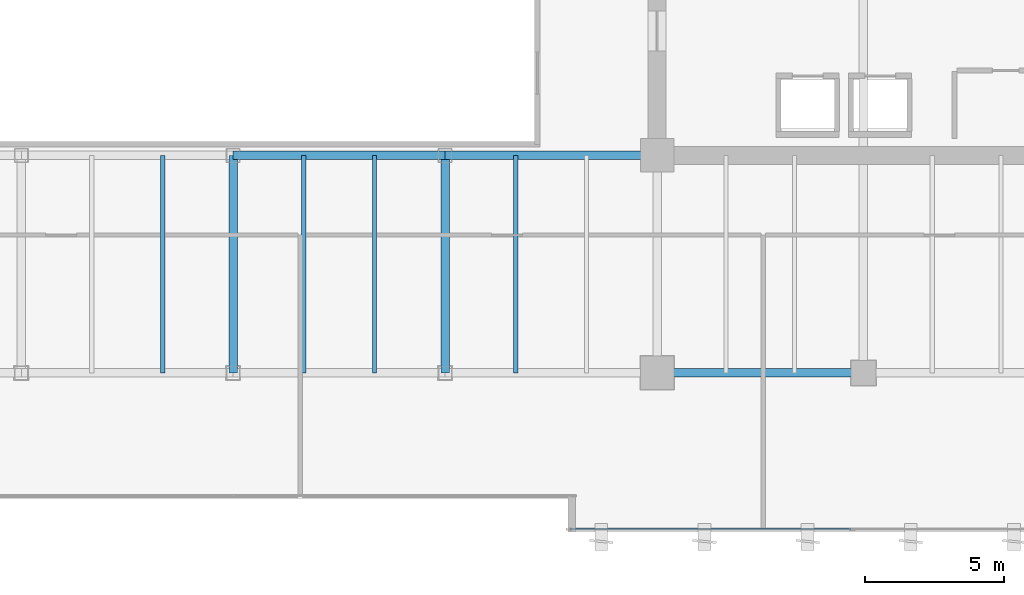
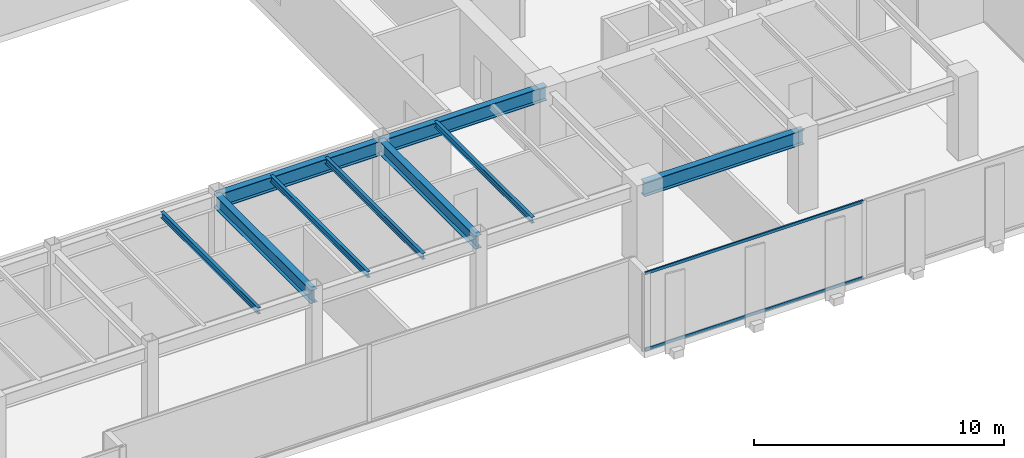
# One storey, part 11 of 34: 9 beams, 2 members, 1 element without a shape of its own.
"""IFC4 building model written with IfcOpenShell, lengths in metres."""

import ifcopenshell
import ifcopenshell.guid

model = None  # the IFC model being written
_history = None  # IfcOwnerHistory: only IFC2X3 demands one
_inside = {}  # id of a spatial element -> (the spatial element, [elements in it])
_under = {}  # id of a project, library or spatial element -> (it, [spatial elements below it])
_declared = {}  # id of a project -> (the project, [libraries it declares])
_typed = {}  # id of a type object -> (the type object, [elements of that type])
_made_of = {}  # id of a material, layer set ... -> (it, [elements and type objects made of it])


def new_model(schema):
    """Start an empty IFC model of exactly this schema.

    Asked for "IFC4X3", IfcOpenShell would pick the latest addendum, in which some entities
    have other attributes; the version numbers below select the first issue.
    IFC2X3 requires an IfcOwnerHistory on every rooted entity: one is made here for all.
    """
    global model, _history
    if schema == "IFC4X3":
        model = ifcopenshell.file(schema_version=(4, 3, 0, 0))
    else:
        model = ifcopenshell.file(schema=schema)
    _inside.clear()
    _under.clear()
    _declared.clear()
    _typed.clear()
    _made_of.clear()
    _history = None
    if model.schema == "IFC2X3":
        org = make("IfcOrganization", Name="unknown")
        user = make(
            "IfcPersonAndOrganization",
            ThePerson=make("IfcPerson", FamilyName="unknown"),
            TheOrganization=org,
        )
        app = make(
            "IfcApplication",
            ApplicationDeveloper=org,
            Version="unknown",
            ApplicationFullName="unknown",
            ApplicationIdentifier="unknown",
        )
        _history = make(
            "IfcOwnerHistory",
            OwningUser=user,
            OwningApplication=app,
            ChangeAction="ADDED",
            CreationDate=0,
        )
    return model


def make(cls, **values):
    """One entity of the class cls with the attributes given. An attribute that is None is left unset."""
    return model.create_entity(
        cls, **{name: value for name, value in values.items() if value is not None}
    )


def rooted(cls, **values):
    """An entity with a GlobalId (a new one), such as an element, a storey or a relation."""
    return make(cls, GlobalId=ifcopenshell.guid.new(), OwnerHistory=_history, **values)


def si_unit(unit_type, name, prefix=None):
    """IfcSIUnit, for example si_unit("LENGTHUNIT", "METRE", prefix="MILLI")."""
    return make("IfcSIUnit", UnitType=unit_type, Prefix=prefix, Name=name)


def assignment(units):
    """IfcUnitAssignment: the units of a project."""
    return None if units is None else make("IfcUnitAssignment", Units=units)


def point(xyz):
    """IfcCartesianPoint."""
    return None if xyz is None else make("IfcCartesianPoint", Coordinates=xyz)


def direction(xyz):
    """IfcDirection."""
    return None if xyz is None else make("IfcDirection", DirectionRatios=xyz)


def frame(location, z_axis=None, x_axis=None):
    """IfcAxis2Placement3D, a coordinate frame: its origin and axes. An axis left out is left unset."""
    return make(
        "IfcAxis2Placement3D",
        Location=point(location),
        Axis=direction(z_axis),
        RefDirection=direction(x_axis),
    )


def frame_2d(location, x_axis=None):
    """IfcAxis2Placement2D, a coordinate frame in the plane: its origin and x axis."""
    return make(
        "IfcAxis2Placement2D", Location=point(location), RefDirection=direction(x_axis)
    )


def origin():
    """The frame at (0, 0, 0) with its axes left unset."""
    return frame((0.0, 0.0, 0.0))


def origin_2d():
    """The frame at (0, 0) in the plane with its x axis left unset."""
    return frame_2d((0.0, 0.0))


def place(relative_to, where):
    """IfcLocalPlacement: puts the frame where relative to a parent placement (None: the world)."""
    return make(
        "IfcLocalPlacement", PlacementRelTo=relative_to, RelativePlacement=where
    )


def context(
    kind, dimensions, precision=None, world=None, true_north=None, identifier=None
):
    """IfcGeometricRepresentationContext, for example the 3D "Model" context."""
    return make(
        "IfcGeometricRepresentationContext",
        ContextIdentifier=identifier,
        ContextType=kind,
        CoordinateSpaceDimension=dimensions,
        Precision=precision,
        WorldCoordinateSystem=world,
        TrueNorth=true_north,
    )


def subcontext(parent, identifier, kind, view, scale=None):
    """IfcGeometricRepresentationSubContext, for example "Body" below "Model"."""
    return make(
        "IfcGeometricRepresentationSubContext",
        ContextIdentifier=identifier,
        ContextType=kind,
        ParentContext=parent,
        TargetScale=scale,
        TargetView=view,
    )


def project(units=None, contexts=None):
    """IfcProject with its units and contexts."""
    return rooted(
        "IfcProject",
        Name="project",
        RepresentationContexts=contexts,
        UnitsInContext=assignment(units),
    )


def spatial(cls, under=None, at=None, **own):
    """A site, building, storey or space (cls), placed at a placement, below another one or the project."""
    s = rooted(cls, ObjectPlacement=at, **own)
    if under is not None:
        _under.setdefault(under.id(), (under, []))[1].append(s)
    return s


def profile(cls, at=None, kind="AREA", **sizes):
    """A parametric profile (cls). Its sizes go by their IFC names, for example OverallWidth=200.0."""
    return make(cls, ProfileType=kind, Position=at, **sizes)


def hollow_rectangle(**sizes):
    """IfcRectangleHollowProfileDef."""
    return profile("IfcRectangleHollowProfileDef", **sizes)


def i_section(**sizes):
    """IfcIShapeProfileDef."""
    return profile("IfcIShapeProfileDef", **sizes)


def extrude(swept, where, along, depth):
    """IfcExtrudedAreaSolid: the profile swept, set in the frame where, extruded along a direction by depth."""
    return make(
        "IfcExtrudedAreaSolid",
        SweptArea=swept,
        Position=where,
        ExtrudedDirection=direction(along),
        Depth=depth,
    )


def shape(context_of_items, identifier, shape_type, items):
    """IfcShapeRepresentation: the items that make up one representation, for example the "Body"."""
    return make(
        "IfcShapeRepresentation",
        ContextOfItems=context_of_items,
        RepresentationIdentifier=identifier,
        RepresentationType=shape_type,
        Items=items,
    )


def source(mapping_origin, context_of_items, identifier, shape_type, items):
    """IfcRepresentationMap: a shape defined once, which mapped items show again and again."""
    return make(
        "IfcRepresentationMap",
        MappingOrigin=mapping_origin,
        MappedRepresentation=shape(context_of_items, identifier, shape_type, items),
    )


def transform(
    local_origin,
    x_axis=None,
    y_axis=None,
    z_axis=None,
    scale=None,
    scale2=None,
    scale3=None,
    uniform=True,
):
    """IfcCartesianTransformationOperator3D, or its non-uniform kind. x_axis, y_axis, z_axis: its Axis1, 2, 3."""
    if uniform:
        return make(
            "IfcCartesianTransformationOperator3D",
            Axis1=direction(x_axis),
            Axis2=direction(y_axis),
            LocalOrigin=point(local_origin),
            Scale=scale,
            Axis3=direction(z_axis),
        )
    return make(
        "IfcCartesianTransformationOperator3DnonUniform",
        Axis1=direction(x_axis),
        Axis2=direction(y_axis),
        LocalOrigin=point(local_origin),
        Scale=scale,
        Axis3=direction(z_axis),
        Scale2=scale2,
        Scale3=scale3,
    )


def mapped(mapping_source, mapping_target):
    """IfcMappedItem: shows the shape of a source again, moved by a transform."""
    return make(
        "IfcMappedItem", MappingSource=mapping_source, MappingTarget=mapping_target
    )


def material(Name=None, Category=None):
    """IfcMaterial."""
    return make("IfcMaterial", Name=Name, Category=Category)


def layer(
    of_material, thickness, ventilated=None, Name=None, Category=None, Priority=None
):
    """IfcMaterialLayer: one layer of a wall or slab, of a material (None: an air gap)."""
    return make(
        "IfcMaterialLayer",
        Material=of_material,
        LayerThickness=thickness,
        IsVentilated=ventilated,
        Name=Name,
        Category=Category,
        Priority=Priority,
    )


def layer_set(layers, Name=None):
    """IfcMaterialLayerSet."""
    return make("IfcMaterialLayerSet", MaterialLayers=layers, LayerSetName=Name)


def material_profile(
    of_material, cross_section, Name=None, Category=None, Priority=None
):
    """IfcMaterialProfile: a cross section and its material."""
    return make(
        "IfcMaterialProfile",
        Name=Name,
        Material=of_material,
        Profile=cross_section,
        Priority=Priority,
        Category=Category,
    )


def profile_set(profiles, Name=None, composite=None):
    """IfcMaterialProfileSet."""
    return make(
        "IfcMaterialProfileSet",
        Name=Name,
        MaterialProfiles=profiles,
        CompositeProfile=composite,
    )


def made_of(thing, what):
    """Note that an element or type object is made of a material, layer set ...; save() writes the relation."""
    if what is not None:
        _made_of.setdefault(what.id(), (what, []))[1].append(thing)
    return thing


def type_object(cls, material=None, **own):
    """A type object (cls), such as IfcWallType, which elements share."""
    return made_of(rooted(cls, **own), material)


def type_shapes(of_type, sources):
    """Give a type object the sources (RepresentationMaps) that its elements show as mapped items."""
    of_type.RepresentationMaps = sources


def element(
    cls,
    number,
    at=None,
    inside=None,
    cuts=None,
    type_object=None,
    material=None,
    context=None,
    identifier="Body",
    shape_type=None,
    held_by="IfcProductDefinitionShape",
    body=None,
    shapes=None,
    **own,
):
    """One element of the class cls, such as IfcWall. Its Tag is "e" and its number.

    at: its placement. inside: the storey or other place that contains it. cuts: it is an
    opening in that element (IfcRelVoidsElement). A single representation is given by context,
    identifier, shape_type and body (its items); several are given by shapes. held_by: the class
    of the entity that holds the representations. save() writes the other relations.
    """
    e = rooted(cls, Tag="e%d" % number, ObjectPlacement=at, **own)
    if body is not None:
        shapes = [shape(context, identifier, shape_type, body)]
    if shapes is not None:
        e.Representation = make(held_by, Representations=shapes)
    if inside is not None:
        _inside.setdefault(inside.id(), (inside, []))[1].append(e)
    if cuts is not None:
        rooted(
            "IfcRelVoidsElement", RelatingBuildingElement=cuts, RelatedOpeningElement=e
        )
    if type_object is not None:
        _typed.setdefault(type_object.id(), (type_object, []))[1].append(e)
    return made_of(e, material)


def aggregate(whole, parts):
    """IfcRelAggregates: a whole, such as a stair, and the parts it consists of."""
    return rooted("IfcRelAggregates", RelatingObject=whole, RelatedObjects=parts)


def save(model, path):
    """Write the relations noted so far, then the file.

    IfcRelAggregates (storeys below a building ...), IfcRelContainedInSpatialStructure (elements
    in a storey), IfcRelDefinesByType, IfcRelAssociatesMaterial and IfcRelDeclares: one each for
    every whole, place, type object, material and project.
    """
    for whole, parts in _under.values():
        aggregate(whole, parts)
    for where, things in _inside.values():
        rooted(
            "IfcRelContainedInSpatialStructure",
            RelatedElements=things,
            RelatingStructure=where,
        )
    for kind, things in _typed.values():
        rooted("IfcRelDefinesByType", RelatedObjects=things, RelatingType=kind)
    for what, things in _made_of.values():
        rooted("IfcRelAssociatesMaterial", RelatedObjects=things, RelatingMaterial=what)
    for by, libraries in _declared.values():
        rooted("IfcRelDeclares", RelatingContext=by, RelatedDefinitions=libraries)
    model.write(path)


model = new_model("IFC4")

# Units and contexts
model_context = context("Model", 3, precision=1e-05, world=origin(), true_north=direction((0.0, 1.0)))
body_context = subcontext(model_context, "Body", "Model", "MODEL_VIEW")
ifc_project = project(units=[si_unit("LENGTHUNIT", "METRE"), si_unit("AREAUNIT", "SQUARE_METRE"), si_unit("VOLUMEUNIT", "CUBIC_METRE"), si_unit("PLANEANGLEUNIT", "RADIAN"), si_unit("MASSUNIT", "GRAM", prefix="KILO")], contexts=[model_context])

# Site, building, storey
site_placement = place(None, origin())
site = spatial("IfcSite", under=ifc_project, at=site_placement, CompositionType="ELEMENT")
building_placement = place(site_placement, origin())
building = spatial("IfcBuilding", under=site, at=building_placement, Name="Haelvirn Gate Laboratories", CompositionType="ELEMENT")
storey_placement = place(building_placement, frame((0.0, 0.0, 109.199951171875)))
storey = spatial("IfcBuildingStorey", under=building, at=storey_placement, Name="L26", CompositionType="ELEMENT", Elevation=109.199951171875)

# Beams
ifc_material_1 = material(Name="Steel SM355", Category="steel")
ifc_material_profile_1 = material_profile(ifc_material_1, i_section(OverallWidth=0.300048828125, OverallDepth=0.64990234375, WebThickness=0.012939453125, FlangeThickness=0.02197265625, at=origin_2d()), Name="H-650x300x13x22")
ifc_profile_set_1 = profile_set([ifc_material_profile_1], Name="Steel SM355")
beam_type_1 = type_object("IfcBeamType", Name="BM-G-650", PredefinedType="BEAM", material=ifc_profile_set_1)
shared_shape_1 = source(origin(), body_context, "Body", "SweptSolid", [
    extrude(i_section(OverallWidth=0.300048828125, OverallDepth=0.64990234375, WebThickness=0.012939453125, FlangeThickness=0.02197265625, at=origin_2d()), origin(), (0.0, 0.0, 1.0), 7.800048828125),
])
type_shapes(beam_type_1, [shared_shape_1])
for number, where, z_axis, x_axis, name in (
    (1, (37.39990234375, 7.0, 3.465087890625), (0.0, 1.0, 0.0), (-1.0, 0.0, 0.0), "L26 Frame Girder X37.4 (7.0-14.8)"),
    (2, (45.0, 7.0, 3.465087890625), (0.0, 1.0, 0.0), (-1.0, 0.0, 0.0), "L26 Frame Girder X45.0 (7.0-14.8)"),
):
    element("IfcBeam", number, at=place(storey_placement, frame(where, z_axis=z_axis, x_axis=x_axis)), inside=storey, type_object=beam_type_1, Name=name, PredefinedType="BEAM", context=body_context, shape_type="MappedRepresentation", body=[
        mapped(shared_shape_1, transform((0.0, 0.0, 0.0), scale=1.0)),
    ])
ifc_material_profile_2 = material_profile(ifc_material_1, i_section(OverallWidth=0.300048828125, OverallDepth=0.699951171875, WebThickness=0.012939453125, FlangeThickness=0.02392578125, at=origin_2d()), Name="H-700x300x13x24")
ifc_profile_set_2 = profile_set([ifc_material_profile_2], Name="Steel SM355")
beam_type_2 = type_object("IfcBeamType", Name="BM-G-700", PredefinedType="BEAM", material=ifc_profile_set_2)
shared_shape_2 = source(origin(), body_context, "Body", "SweptSolid", [
    extrude(i_section(OverallWidth=0.300048828125, OverallDepth=0.699951171875, WebThickness=0.012939453125, FlangeThickness=0.02392578125, at=origin_2d()), origin(), (0.0, 0.0, 1.0), 7.39990234375),
])
beam_placement = place(storey_placement, frame((52.60009765625, 7.0, 3.43994140625), z_axis=(1.0, 0.0, 0.0), x_axis=(0.0, 1.0, 0.0)))
element("IfcBeam", 3, at=beam_placement, inside=storey, type_object=beam_type_2, Name="L26 Primary Girder Y7.0 (52.6-60.0)", PredefinedType="BEAM", context=body_context, shape_type="MappedRepresentation", body=[
    mapped(shared_shape_2, transform((0.0, 0.0, 0.0), scale=1.0)),
])
shared_shape_3 = source(origin(), body_context, "Body", "SweptSolid", [
    extrude(i_section(OverallWidth=0.300048828125, OverallDepth=0.699951171875, WebThickness=0.012939453125, FlangeThickness=0.02392578125, at=origin_2d()), origin(), (0.0, 0.0, 1.0), 7.60009765625),
])
type_shapes(beam_type_2, [shared_shape_2, shared_shape_3])
for number, where, z_axis, x_axis, name in (
    (4, (37.39990234375, 14.800048828125, 3.43994140625), (1.0, 0.0, 0.0), (0.0, 1.0, 0.0), "L26 Primary Girder Y14.8 (37.4-45.0)"),
    (5, (45.0, 14.800048828125, 3.43994140625), (1.0, 0.0, 0.0), (0.0, 1.0, 0.0), "L26 Primary Girder Y14.8 (45.0-52.6)"),
):
    element("IfcBeam", number, at=place(storey_placement, frame(where, z_axis=z_axis, x_axis=x_axis)), inside=storey, type_object=beam_type_2, Name=name, PredefinedType="BEAM", context=body_context, shape_type="MappedRepresentation", body=[
        mapped(shared_shape_3, transform((0.0, 0.0, 0.0), scale=1.0)),
    ])
ifc_material_profile_3 = material_profile(ifc_material_1, i_section(OverallWidth=0.14990234375, OverallDepth=0.300048828125, WebThickness=0.006591796875, FlangeThickness=0.009033203125, at=origin_2d()), Name="H-300x150x6.5x9")
ifc_profile_set_3 = profile_set([ifc_material_profile_3], Name="Steel SM355")
beam_type_3 = type_object("IfcBeamType", Name="BM-J-300", PredefinedType="JOIST", material=ifc_profile_set_3)
shared_shape_4 = source(origin(), body_context, "Body", "SweptSolid", [
    extrude(i_section(OverallWidth=0.14990234375, OverallDepth=0.300048828125, WebThickness=0.006591796875, FlangeThickness=0.009033203125, at=origin_2d()), origin(), (0.0, 0.0, 1.0), 7.800048828125),
])
type_shapes(beam_type_3, [shared_shape_4])
for number, where, z_axis, x_axis, name in (
    (6, (34.8701171875, 7.0, 3.64013671875), (0.0, 1.0, 0.0), (-1.0, 0.0, 0.0), "L26 Composite Lab Joist South X34.87"),
    (7, (39.929931640625, 7.0, 3.64013671875), (0.0, 1.0, 0.0), (-1.0, 0.0, 0.0), "L26 Composite Lab Joist South X39.93"),
    (8, (42.469970703125, 7.0, 3.64013671875), (0.0, 1.0, 0.0), (-1.0, 0.0, 0.0), "L26 Composite Lab Joist South X42.47"),
    (9, (47.530029296875, 7.0, 3.64013671875), (0.0, 1.0, 0.0), (-1.0, 0.0, 0.0), "L26 Composite Lab Joist South X47.53"),
):
    element("IfcBeam", number, at=place(storey_placement, frame(where, z_axis=z_axis, x_axis=x_axis)), inside=storey, type_object=beam_type_3, Name=name, PredefinedType="JOIST", context=body_context, shape_type="MappedRepresentation", body=[
        mapped(shared_shape_4, transform((0.0, 0.0, 0.0), scale=1.0)),
    ])

# Curtain wall, members
ifc_material_2 = material(Name="Anodised bronze unitised aluminium & triple low-E glass", Category="aluminium")
ifc_layer = layer(ifc_material_2, 0.179931640625, Name="CW-SYS-3")
ifc_layer_set = layer_set([ifc_layer], Name="Anodised bronze unitised aluminium & triple low-E glass")
curtain_wall_type = type_object("IfcCurtainWallType", Name="CW-SYS-3", PredefinedType="NOTDEFINED", material=ifc_layer_set)
curtain_wall_placement = place(storey_placement, origin())
curtain_wall = element("IfcCurtainWall", 10, at=curtain_wall_placement, inside=storey, type_object=curtain_wall_type, Name="L26 Unitised Curtain Wall CW-L26-P0-E04-1", PredefinedType="NOTDEFINED")
ifc_material_3 = material(Name="Extruded aluminium 6063-T6 (anodised bronze)", Category="aluminium")
ifc_material_profile_4 = material_profile(ifc_material_3, hollow_rectangle(XDim=0.06494140625, YDim=0.139892578125, WallThickness=0.00390625, at=origin_2d()), Name="CWT-140x65x4")
ifc_profile_set_4 = profile_set([ifc_material_profile_4], Name="Extruded aluminium 6063-T6 (anodised bronze)")
member_type = type_object("IfcMemberType", Name="CWT-T140", PredefinedType="USERDEFINED", material=ifc_profile_set_4)
shared_shape_5 = source(origin(), body_context, "Body", "SweptSolid", [
    extrude(hollow_rectangle(XDim=0.06494140625, YDim=0.139892578125, WallThickness=0.00390625, at=origin_2d()), origin(), (0.0, 0.0, 1.0), 10.08740234375),
])
type_shapes(member_type, [shared_shape_5])
member_1_placement = place(storey_placement, frame((49.47509765625, 1.39990234375, 0.032470703125), z_axis=(1.0, 0.0, 0.0), x_axis=(0.0, 1.0, 0.0)))
member_1 = element("IfcMember", 11, at=member_1_placement, type_object=member_type, Name="CW3 transom 1.1", ObjectType="TRANSOM", PredefinedType="USERDEFINED", context=body_context, shape_type="MappedRepresentation", body=[
    mapped(shared_shape_5, transform((0.0, 0.0, 0.0), scale=1.0)),
])
member_2_placement = place(storey_placement, frame((49.47509765625, 1.39990234375, 3.757568359375), z_axis=(1.0, 0.0, 0.0), x_axis=(0.0, 1.0, 0.0)))
member_2 = element("IfcMember", 12, at=member_2_placement, type_object=member_type, Name="CW3 transom 1.2", ObjectType="TRANSOM", PredefinedType="USERDEFINED", context=body_context, shape_type="MappedRepresentation", body=[
    mapped(shared_shape_5, transform((0.0, 0.0, 0.0), scale=1.0)),
])
aggregate(curtain_wall, [member_1, member_2])

save(model, "model.ifc")
